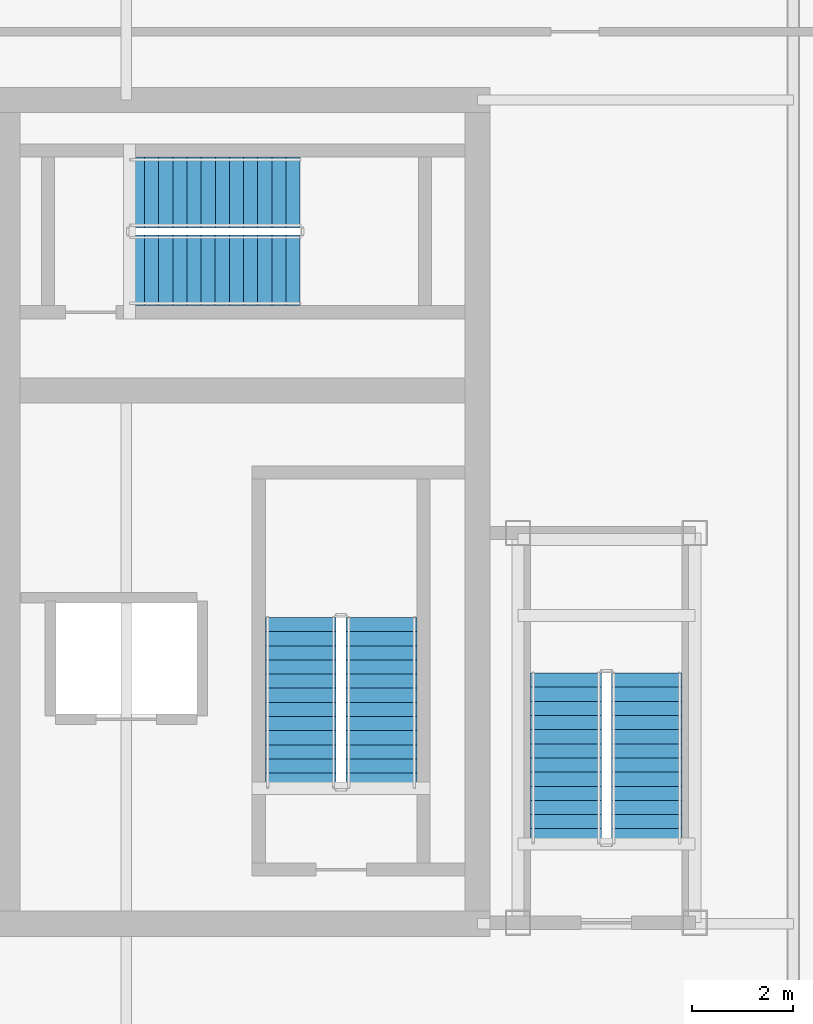
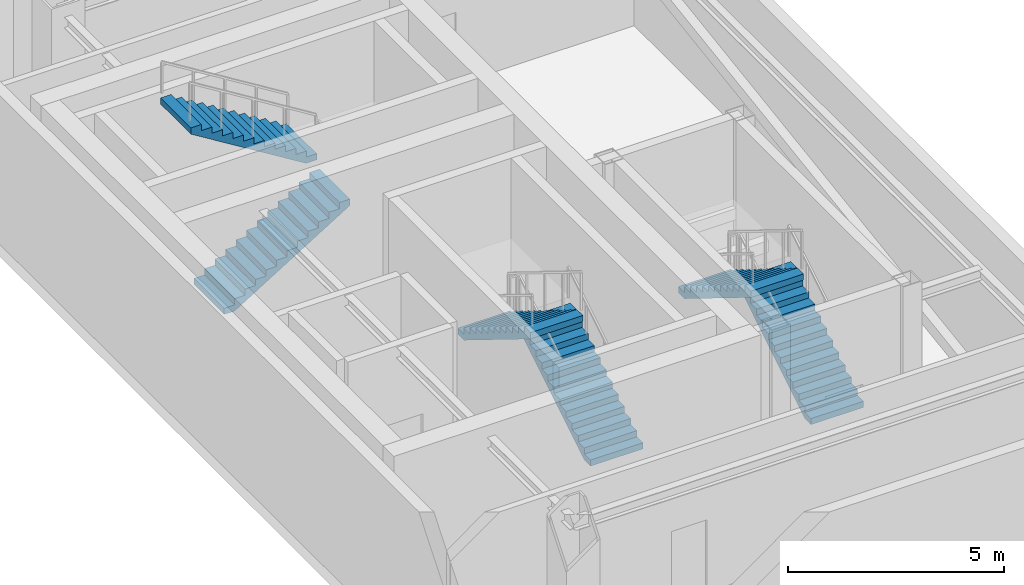
# One storey, part 4 of 6: 6 stair flights, 3 elements without a shape of their own.
"""IFC4 building model written with IfcOpenShell, lengths in metres."""

from ifc_helpers import new_model, si_unit, direction, frame, origin, place, context, subcontext, project, spatial, polyline, outline, extrude, material, type_object, element, aggregate, save


model = new_model("IFC4")

# Units and contexts
model_context = context("Model", 3, precision=1e-05, world=origin(), true_north=direction((0.0, 1.0)))
body_context = subcontext(model_context, "Body", "Model", "MODEL_VIEW")
ifc_project = project(units=[si_unit("LENGTHUNIT", "METRE"), si_unit("AREAUNIT", "SQUARE_METRE"), si_unit("VOLUMEUNIT", "CUBIC_METRE"), si_unit("PLANEANGLEUNIT", "RADIAN"), si_unit("MASSUNIT", "GRAM", prefix="KILO")], contexts=[model_context])

# Site, building, storey
site_placement = place(None, origin())
site = spatial("IfcSite", under=ifc_project, at=site_placement, CompositionType="ELEMENT")
building_placement = place(site_placement, origin())
building = spatial("IfcBuilding", under=site, at=building_placement, Name="Kiyonajd Concourse Tower", CompositionType="ELEMENT")
storey_placement = place(building_placement, frame((0.0, 0.0, 368.39990234375)))
storey = spatial("IfcBuildingStorey", under=building, at=storey_placement, Name="L92", CompositionType="ELEMENT", Elevation=368.39990234375)

# Stair, stair flights
ifc_material = material(Name="Concrete C40/50", Category="concrete")
stair_type = type_object("IfcStairType", Name="ST-DLG-26R", PredefinedType="HALF_TURN_STAIR", material=ifc_material)
stair_1_placement = place(storey_placement, origin())
stair_1 = element("IfcStair", 1, at=stair_1_placement, inside=storey, type_object=stair_type, Name="L92 Protected Exit Stair ST2", PredefinedType="HALF_TURN_STAIR")
stair_flight_type = type_object("IfcStairFlightType", Name="SF-STR-26R", PredefinedType="STRAIGHT", material=ifc_material)
stair_flight_1_placement = place(storey_placement, frame((61.449951171875, 30.550048828125, 0.0), z_axis=(0.0, 0.0, 1.0), x_axis=(0.0, 1.0, 0.0)))
stair_flight_1 = element("IfcStairFlight", 2, at=stair_flight_1_placement, type_object=stair_flight_type, Name="ST2 flight 1", NumberOfRisers=13, NumberOfTreads=12, PredefinedType="STRAIGHT", RiserHeight=0.173076923, TreadLength=0.28, context=body_context, shape_type="SweptSolid", body=[
    extrude(outline(polyline([(0.0, 0.0), (0.0, 0.173095703125), (0.280029296875, 0.173095703125), (0.280029296875, 0.34619140625), (0.56005859375, 0.34619140625), (0.56005859375, 0.519287109375), (0.840087890625, 0.519287109375), (0.840087890625, 0.6923828125), (1.1201171875, 0.6923828125), (1.1201171875, 0.865478515625), (1.39990234375, 0.865478515625), (1.39990234375, 1.03857421875), (1.679931640625, 1.03857421875), (1.679931640625, 1.21142578125), (1.9599609375, 1.21142578125), (1.9599609375, 1.384521484375), (2.239990234375, 1.384521484375), (2.239990234375, 1.5576171875), (2.52001953125, 1.5576171875), (2.52001953125, 1.730712890625), (2.800048828125, 1.730712890625), (2.800048828125, 1.90380859375), (3.080078125, 1.90380859375), (3.080078125, 2.076904296875), (3.360107421875, 2.076904296875), (3.360107421875, 2.25), (3.360107421875, 1.900634765625), (0.28515625, 0.0), (0.0, 0.0)])), frame((0.0, 0.699951171875, 0.0), z_axis=(0.0, -1.0, 0.0), x_axis=(1.0, 0.0, 0.0)), (0.0, 0.0, 1.0), 1.39990234375),
])
stair_flight_2_placement = place(storey_placement, frame((59.85009765625, 33.909912109375, 2.25), z_axis=(0.0, 0.0, 1.0), x_axis=(0.0, -1.0, 0.0)))
stair_flight_2 = element("IfcStairFlight", 3, at=stair_flight_2_placement, type_object=stair_flight_type, Name="ST2 flight 2", NumberOfRisers=13, NumberOfTreads=12, PredefinedType="STRAIGHT", RiserHeight=0.173076923, TreadLength=0.28, context=body_context, shape_type="SweptSolid", body=[
    extrude(outline(polyline([(0.0, 0.0), (0.0, 0.173095703125), (0.280029296875, 0.173095703125), (0.280029296875, 0.34619140625), (0.56005859375, 0.34619140625), (0.56005859375, 0.519287109375), (0.840087890625, 0.519287109375), (0.840087890625, 0.6923828125), (1.1201171875, 0.6923828125), (1.1201171875, 0.865478515625), (1.39990234375, 0.865478515625), (1.39990234375, 1.03857421875), (1.679931640625, 1.03857421875), (1.679931640625, 1.21142578125), (1.9599609375, 1.21142578125), (1.9599609375, 1.384521484375), (2.239990234375, 1.384521484375), (2.239990234375, 1.5576171875), (2.52001953125, 1.5576171875), (2.52001953125, 1.730712890625), (2.800048828125, 1.730712890625), (2.800048828125, 1.90380859375), (3.080078125, 1.90380859375), (3.080078125, 2.076904296875), (3.360107421875, 2.076904296875), (3.360107421875, 2.25), (3.360107421875, 1.900634765625), (0.28515625, 0.0), (0.0, 0.0)])), frame((0.0, 0.699951171875, 0.0), z_axis=(0.0, -1.0, 0.0), x_axis=(1.0, 0.0, 0.0)), (0.0, 0.0, 1.0), 1.39990234375),
])
aggregate(stair_1, [stair_flight_1, stair_flight_2])

stair_2_placement = place(storey_placement, origin())
stair_2 = element("IfcStair", 4, at=stair_2_placement, inside=storey, type_object=stair_type, Name="L92 Protected Exit Stair ST3", PredefinedType="HALF_TURN_STAIR")
stair_flight_3_placement = place(storey_placement, frame((56.47998046875, 40.780029296875, 0.0), z_axis=(0.0, 0.0, 1.0), x_axis=(1.0, 0.0, 0.0)))
stair_flight_3 = element("IfcStairFlight", 5, at=stair_flight_3_placement, type_object=stair_flight_type, Name="ST3 flight 1", NumberOfRisers=13, NumberOfTreads=12, PredefinedType="STRAIGHT", RiserHeight=0.173076923, TreadLength=0.28, context=body_context, shape_type="SweptSolid", body=[
    extrude(outline(polyline([(0.0, 0.0), (0.0, 0.173095703125), (0.280029296875, 0.173095703125), (0.280029296875, 0.34619140625), (0.56005859375, 0.34619140625), (0.56005859375, 0.519287109375), (0.840087890625, 0.519287109375), (0.840087890625, 0.6923828125), (1.1201171875, 0.6923828125), (1.1201171875, 0.865478515625), (1.39990234375, 0.865478515625), (1.39990234375, 1.03857421875), (1.679931640625, 1.03857421875), (1.679931640625, 1.21142578125), (1.9599609375, 1.21142578125), (1.9599609375, 1.384521484375), (2.239990234375, 1.384521484375), (2.239990234375, 1.5576171875), (2.52001953125, 1.5576171875), (2.52001953125, 1.730712890625), (2.800048828125, 1.730712890625), (2.800048828125, 1.90380859375), (3.080078125, 1.90380859375), (3.080078125, 2.076904296875), (3.360107421875, 2.076904296875), (3.360107421875, 2.25), (3.360107421875, 1.900634765625), (0.28515625, 0.0), (0.0, 0.0)])), frame((0.0, 0.699951171875, 0.0), z_axis=(0.0, -1.0, 0.0), x_axis=(1.0, 0.0, 0.0)), (0.0, 0.0, 1.0), 1.39990234375),
])
stair_flight_4_placement = place(storey_placement, frame((59.840087890625, 42.320068359375, 2.25), z_axis=(0.0, 0.0, 1.0), x_axis=(-1.0, 0.0, 0.0)))
stair_flight_4 = element("IfcStairFlight", 6, at=stair_flight_4_placement, type_object=stair_flight_type, Name="ST3 flight 2", NumberOfRisers=13, NumberOfTreads=12, PredefinedType="STRAIGHT", RiserHeight=0.173076923, TreadLength=0.28, context=body_context, shape_type="SweptSolid", body=[
    extrude(outline(polyline([(0.0, 0.0), (0.0, 0.173095703125), (0.280029296875, 0.173095703125), (0.280029296875, 0.34619140625), (0.56005859375, 0.34619140625), (0.56005859375, 0.519287109375), (0.840087890625, 0.519287109375), (0.840087890625, 0.6923828125), (1.1201171875, 0.6923828125), (1.1201171875, 0.865478515625), (1.39990234375, 0.865478515625), (1.39990234375, 1.03857421875), (1.679931640625, 1.03857421875), (1.679931640625, 1.21142578125), (1.9599609375, 1.21142578125), (1.9599609375, 1.384521484375), (2.239990234375, 1.384521484375), (2.239990234375, 1.5576171875), (2.52001953125, 1.5576171875), (2.52001953125, 1.730712890625), (2.800048828125, 1.730712890625), (2.800048828125, 1.90380859375), (3.080078125, 1.90380859375), (3.080078125, 2.076904296875), (3.360107421875, 2.076904296875), (3.360107421875, 2.25), (3.360107421875, 1.900634765625), (0.28515625, 0.0), (0.0, 0.0)])), frame((0.0, 0.699951171875, 0.0), z_axis=(0.0, -1.0, 0.0), x_axis=(1.0, 0.0, 0.0)), (0.0, 0.0, 1.0), 1.39990234375),
])
aggregate(stair_2, [stair_flight_3, stair_flight_4])

stair_3_placement = place(storey_placement, origin())
stair_3 = element("IfcStair", 7, at=stair_3_placement, inside=storey, type_object=stair_type, Name="L92 East Crown Maintenance Stair ST6", PredefinedType="HALF_TURN_STAIR")
stair_flight_5_placement = place(storey_placement, frame((66.699951171875, 29.449951171875, 0.0), z_axis=(0.0, 0.0, 1.0), x_axis=(0.0, 1.0, 0.0)))
stair_flight_5 = element("IfcStairFlight", 8, at=stair_flight_5_placement, type_object=stair_flight_type, Name="ST6 flight 1", NumberOfRisers=13, NumberOfTreads=12, PredefinedType="STRAIGHT", RiserHeight=0.173076923, TreadLength=0.28, context=body_context, shape_type="SweptSolid", body=[
    extrude(outline(polyline([(0.0, 0.0), (0.0, 0.173095703125), (0.280029296875, 0.173095703125), (0.280029296875, 0.34619140625), (0.56005859375, 0.34619140625), (0.56005859375, 0.519287109375), (0.840087890625, 0.519287109375), (0.840087890625, 0.6923828125), (1.1201171875, 0.6923828125), (1.1201171875, 0.865478515625), (1.39990234375, 0.865478515625), (1.39990234375, 1.03857421875), (1.679931640625, 1.03857421875), (1.679931640625, 1.21142578125), (1.9599609375, 1.21142578125), (1.9599609375, 1.384521484375), (2.239990234375, 1.384521484375), (2.239990234375, 1.5576171875), (2.52001953125, 1.5576171875), (2.52001953125, 1.730712890625), (2.800048828125, 1.730712890625), (2.800048828125, 1.90380859375), (3.080078125, 1.90380859375), (3.080078125, 2.076904296875), (3.360107421875, 2.076904296875), (3.360107421875, 2.25), (3.360107421875, 1.900634765625), (0.28515625, 0.0), (0.0, 0.0)])), frame((0.0, 0.699951171875, 0.0), z_axis=(0.0, -1.0, 0.0), x_axis=(1.0, 0.0, 0.0)), (0.0, 0.0, 1.0), 1.39990234375),
])
stair_flight_6_placement = place(storey_placement, frame((65.10009765625, 32.81005859375, 2.25), z_axis=(0.0, 0.0, 1.0), x_axis=(0.0, -1.0, 0.0)))
stair_flight_6 = element("IfcStairFlight", 9, at=stair_flight_6_placement, type_object=stair_flight_type, Name="ST6 flight 2", NumberOfRisers=13, NumberOfTreads=12, PredefinedType="STRAIGHT", RiserHeight=0.173076923, TreadLength=0.28, context=body_context, shape_type="SweptSolid", body=[
    extrude(outline(polyline([(0.0, 0.0), (0.0, 0.173095703125), (0.280029296875, 0.173095703125), (0.280029296875, 0.34619140625), (0.56005859375, 0.34619140625), (0.56005859375, 0.519287109375), (0.840087890625, 0.519287109375), (0.840087890625, 0.6923828125), (1.1201171875, 0.6923828125), (1.1201171875, 0.865478515625), (1.39990234375, 0.865478515625), (1.39990234375, 1.03857421875), (1.679931640625, 1.03857421875), (1.679931640625, 1.21142578125), (1.9599609375, 1.21142578125), (1.9599609375, 1.384521484375), (2.239990234375, 1.384521484375), (2.239990234375, 1.5576171875), (2.52001953125, 1.5576171875), (2.52001953125, 1.730712890625), (2.800048828125, 1.730712890625), (2.800048828125, 1.90380859375), (3.080078125, 1.90380859375), (3.080078125, 2.076904296875), (3.360107421875, 2.076904296875), (3.360107421875, 2.25), (3.360107421875, 1.900634765625), (0.28515625, 0.0), (0.0, 0.0)])), frame((0.0, 0.699951171875, 0.0), z_axis=(0.0, -1.0, 0.0), x_axis=(1.0, 0.0, 0.0)), (0.0, 0.0, 1.0), 1.39990234375),
])
aggregate(stair_3, [stair_flight_5, stair_flight_6])

save(model, "model.ifc")
